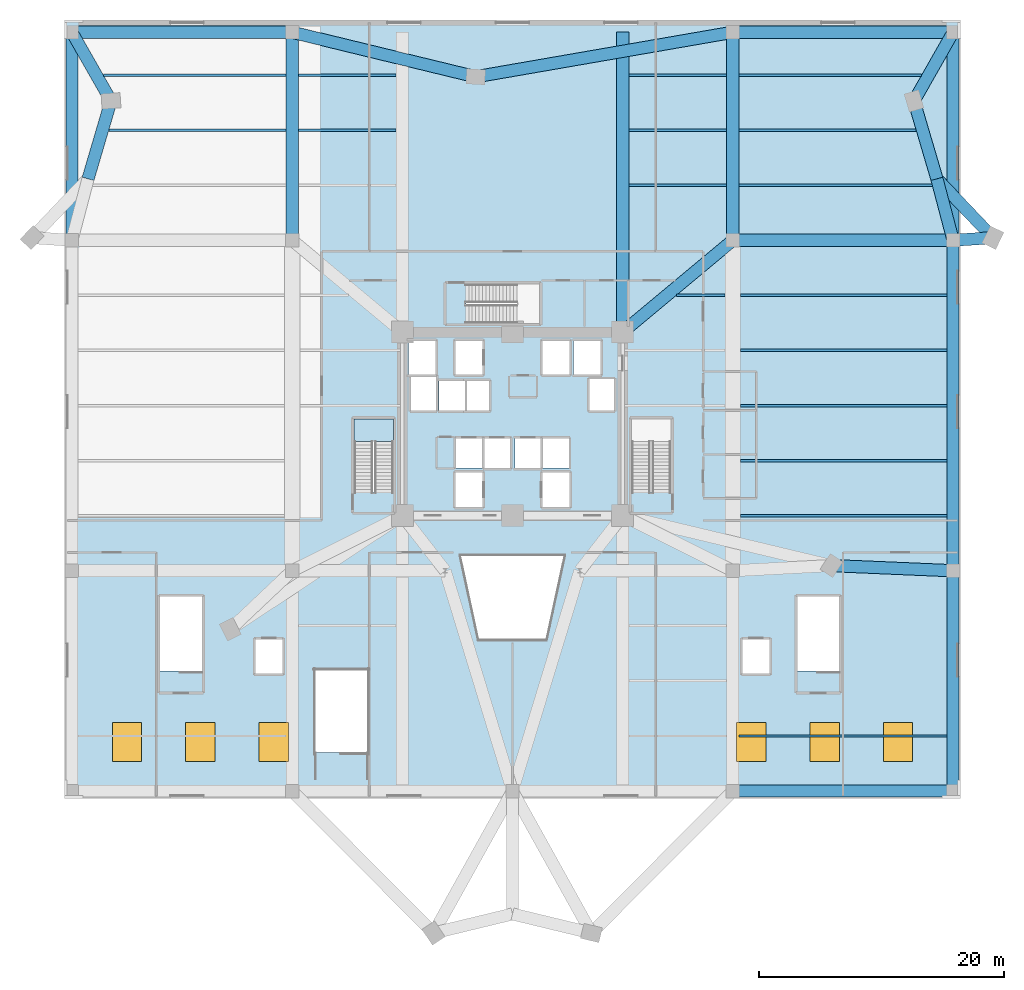
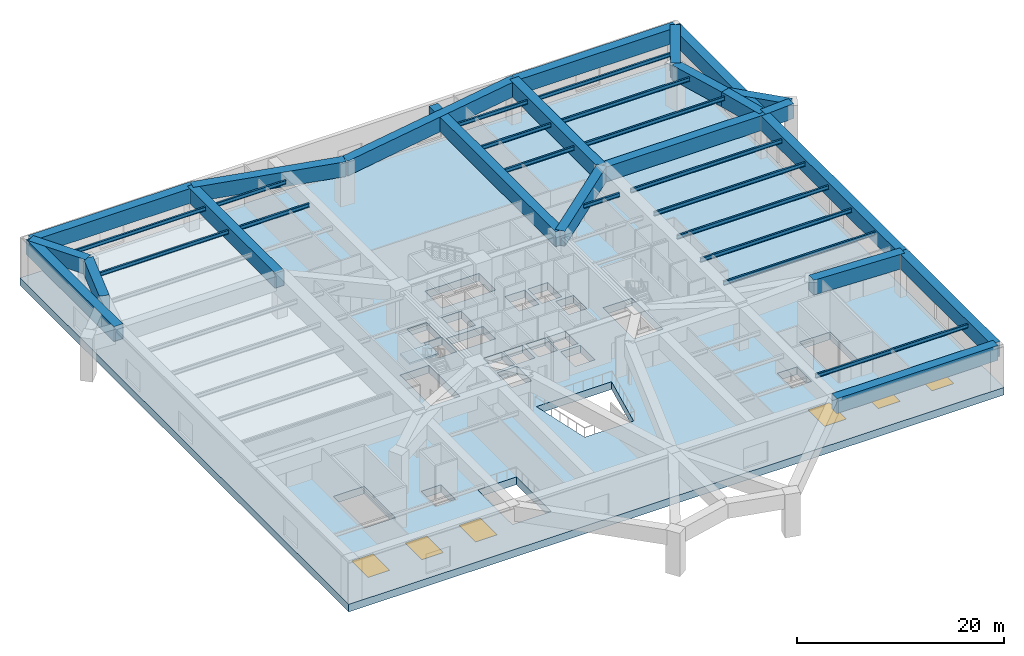
# One storey, part 4 of 14: 39 beams, 6 windows, 2 slabs, 6 openings, 1 element without a shape of its own.
"""IFC4 building model written with IfcOpenShell, lengths in metres."""

import ifcopenshell
import ifcopenshell.guid

model = None  # the IFC model being written
_history = None  # IfcOwnerHistory: only IFC2X3 demands one
_inside = {}  # id of a spatial element -> (the spatial element, [elements in it])
_under = {}  # id of a project, library or spatial element -> (it, [spatial elements below it])
_declared = {}  # id of a project -> (the project, [libraries it declares])
_typed = {}  # id of a type object -> (the type object, [elements of that type])
_made_of = {}  # id of a material, layer set ... -> (it, [elements and type objects made of it])


def new_model(schema):
    """Start an empty IFC model of exactly this schema.

    Asked for "IFC4X3", IfcOpenShell would pick the latest addendum, in which some entities
    have other attributes; the version numbers below select the first issue.
    IFC2X3 requires an IfcOwnerHistory on every rooted entity: one is made here for all.
    """
    global model, _history
    if schema == "IFC4X3":
        model = ifcopenshell.file(schema_version=(4, 3, 0, 0))
    else:
        model = ifcopenshell.file(schema=schema)
    _inside.clear()
    _under.clear()
    _declared.clear()
    _typed.clear()
    _made_of.clear()
    _history = None
    if model.schema == "IFC2X3":
        org = make("IfcOrganization", Name="unknown")
        user = make(
            "IfcPersonAndOrganization",
            ThePerson=make("IfcPerson", FamilyName="unknown"),
            TheOrganization=org,
        )
        app = make(
            "IfcApplication",
            ApplicationDeveloper=org,
            Version="unknown",
            ApplicationFullName="unknown",
            ApplicationIdentifier="unknown",
        )
        _history = make(
            "IfcOwnerHistory",
            OwningUser=user,
            OwningApplication=app,
            ChangeAction="ADDED",
            CreationDate=0,
        )
    return model


def make(cls, **values):
    """One entity of the class cls with the attributes given. An attribute that is None is left unset."""
    return model.create_entity(
        cls, **{name: value for name, value in values.items() if value is not None}
    )


def rooted(cls, **values):
    """An entity with a GlobalId (a new one), such as an element, a storey or a relation."""
    return make(cls, GlobalId=ifcopenshell.guid.new(), OwnerHistory=_history, **values)


def si_unit(unit_type, name, prefix=None):
    """IfcSIUnit, for example si_unit("LENGTHUNIT", "METRE", prefix="MILLI")."""
    return make("IfcSIUnit", UnitType=unit_type, Prefix=prefix, Name=name)


def assignment(units):
    """IfcUnitAssignment: the units of a project."""
    return None if units is None else make("IfcUnitAssignment", Units=units)


def point(xyz):
    """IfcCartesianPoint."""
    return None if xyz is None else make("IfcCartesianPoint", Coordinates=xyz)


def direction(xyz):
    """IfcDirection."""
    return None if xyz is None else make("IfcDirection", DirectionRatios=xyz)


def frame(location, z_axis=None, x_axis=None):
    """IfcAxis2Placement3D, a coordinate frame: its origin and axes. An axis left out is left unset."""
    return make(
        "IfcAxis2Placement3D",
        Location=point(location),
        Axis=direction(z_axis),
        RefDirection=direction(x_axis),
    )


def frame_2d(location, x_axis=None):
    """IfcAxis2Placement2D, a coordinate frame in the plane: its origin and x axis."""
    return make(
        "IfcAxis2Placement2D", Location=point(location), RefDirection=direction(x_axis)
    )


def origin():
    """The frame at (0, 0, 0) with its axes left unset."""
    return frame((0.0, 0.0, 0.0))


def origin_2d():
    """The frame at (0, 0) in the plane with its x axis left unset."""
    return frame_2d((0.0, 0.0))


def place(relative_to, where):
    """IfcLocalPlacement: puts the frame where relative to a parent placement (None: the world)."""
    return make(
        "IfcLocalPlacement", PlacementRelTo=relative_to, RelativePlacement=where
    )


def context(
    kind, dimensions, precision=None, world=None, true_north=None, identifier=None
):
    """IfcGeometricRepresentationContext, for example the 3D "Model" context."""
    return make(
        "IfcGeometricRepresentationContext",
        ContextIdentifier=identifier,
        ContextType=kind,
        CoordinateSpaceDimension=dimensions,
        Precision=precision,
        WorldCoordinateSystem=world,
        TrueNorth=true_north,
    )


def subcontext(parent, identifier, kind, view, scale=None):
    """IfcGeometricRepresentationSubContext, for example "Body" below "Model"."""
    return make(
        "IfcGeometricRepresentationSubContext",
        ContextIdentifier=identifier,
        ContextType=kind,
        ParentContext=parent,
        TargetScale=scale,
        TargetView=view,
    )


def project(units=None, contexts=None):
    """IfcProject with its units and contexts."""
    return rooted(
        "IfcProject",
        Name="project",
        RepresentationContexts=contexts,
        UnitsInContext=assignment(units),
    )


def spatial(cls, under=None, at=None, **own):
    """A site, building, storey or space (cls), placed at a placement, below another one or the project."""
    s = rooted(cls, ObjectPlacement=at, **own)
    if under is not None:
        _under.setdefault(under.id(), (under, []))[1].append(s)
    return s


def polyline(points):
    """IfcPolyline through the points."""
    return make("IfcPolyline", Points=[point(p) for p in points])


def profile(cls, at=None, kind="AREA", **sizes):
    """A parametric profile (cls). Its sizes go by their IFC names, for example OverallWidth=200.0."""
    return make(cls, ProfileType=kind, Position=at, **sizes)


def rectangle(**sizes):
    """IfcRectangleProfileDef."""
    return profile("IfcRectangleProfileDef", **sizes)


def i_section(**sizes):
    """IfcIShapeProfileDef."""
    return profile("IfcIShapeProfileDef", **sizes)


def outline(outer, holes=None, kind="AREA"):
    """IfcArbitraryClosedProfileDef: a profile drawn as a closed curve; with holes, ...WithVoids."""
    if holes is None:
        return make("IfcArbitraryClosedProfileDef", ProfileType=kind, OuterCurve=outer)
    return make(
        "IfcArbitraryProfileDefWithVoids",
        ProfileType=kind,
        OuterCurve=outer,
        InnerCurves=holes,
    )


def extrude(swept, where, along, depth):
    """IfcExtrudedAreaSolid: the profile swept, set in the frame where, extruded along a direction by depth."""
    return make(
        "IfcExtrudedAreaSolid",
        SweptArea=swept,
        Position=where,
        ExtrudedDirection=direction(along),
        Depth=depth,
    )


def shape(context_of_items, identifier, shape_type, items):
    """IfcShapeRepresentation: the items that make up one representation, for example the "Body"."""
    return make(
        "IfcShapeRepresentation",
        ContextOfItems=context_of_items,
        RepresentationIdentifier=identifier,
        RepresentationType=shape_type,
        Items=items,
    )


def source(mapping_origin, context_of_items, identifier, shape_type, items):
    """IfcRepresentationMap: a shape defined once, which mapped items show again and again."""
    return make(
        "IfcRepresentationMap",
        MappingOrigin=mapping_origin,
        MappedRepresentation=shape(context_of_items, identifier, shape_type, items),
    )


def transform(
    local_origin,
    x_axis=None,
    y_axis=None,
    z_axis=None,
    scale=None,
    scale2=None,
    scale3=None,
    uniform=True,
):
    """IfcCartesianTransformationOperator3D, or its non-uniform kind. x_axis, y_axis, z_axis: its Axis1, 2, 3."""
    if uniform:
        return make(
            "IfcCartesianTransformationOperator3D",
            Axis1=direction(x_axis),
            Axis2=direction(y_axis),
            LocalOrigin=point(local_origin),
            Scale=scale,
            Axis3=direction(z_axis),
        )
    return make(
        "IfcCartesianTransformationOperator3DnonUniform",
        Axis1=direction(x_axis),
        Axis2=direction(y_axis),
        LocalOrigin=point(local_origin),
        Scale=scale,
        Axis3=direction(z_axis),
        Scale2=scale2,
        Scale3=scale3,
    )


def mapped(mapping_source, mapping_target):
    """IfcMappedItem: shows the shape of a source again, moved by a transform."""
    return make(
        "IfcMappedItem", MappingSource=mapping_source, MappingTarget=mapping_target
    )


def material(Name=None, Category=None):
    """IfcMaterial."""
    return make("IfcMaterial", Name=Name, Category=Category)


def layer(
    of_material, thickness, ventilated=None, Name=None, Category=None, Priority=None
):
    """IfcMaterialLayer: one layer of a wall or slab, of a material (None: an air gap)."""
    return make(
        "IfcMaterialLayer",
        Material=of_material,
        LayerThickness=thickness,
        IsVentilated=ventilated,
        Name=Name,
        Category=Category,
        Priority=Priority,
    )


def layer_set(layers, Name=None):
    """IfcMaterialLayerSet."""
    return make("IfcMaterialLayerSet", MaterialLayers=layers, LayerSetName=Name)


def material_profile(
    of_material, cross_section, Name=None, Category=None, Priority=None
):
    """IfcMaterialProfile: a cross section and its material."""
    return make(
        "IfcMaterialProfile",
        Name=Name,
        Material=of_material,
        Profile=cross_section,
        Priority=Priority,
        Category=Category,
    )


def profile_set(profiles, Name=None, composite=None):
    """IfcMaterialProfileSet."""
    return make(
        "IfcMaterialProfileSet",
        Name=Name,
        MaterialProfiles=profiles,
        CompositeProfile=composite,
    )


def made_of(thing, what):
    """Note that an element or type object is made of a material, layer set ...; save() writes the relation."""
    if what is not None:
        _made_of.setdefault(what.id(), (what, []))[1].append(thing)
    return thing


def type_object(cls, material=None, **own):
    """A type object (cls), such as IfcWallType, which elements share."""
    return made_of(rooted(cls, **own), material)


def element(
    cls,
    number,
    at=None,
    inside=None,
    cuts=None,
    type_object=None,
    material=None,
    context=None,
    identifier="Body",
    shape_type=None,
    held_by="IfcProductDefinitionShape",
    body=None,
    shapes=None,
    **own,
):
    """One element of the class cls, such as IfcWall. Its Tag is "e" and its number.

    at: its placement. inside: the storey or other place that contains it. cuts: it is an
    opening in that element (IfcRelVoidsElement). A single representation is given by context,
    identifier, shape_type and body (its items); several are given by shapes. held_by: the class
    of the entity that holds the representations. save() writes the other relations.
    """
    e = rooted(cls, Tag="e%d" % number, ObjectPlacement=at, **own)
    if body is not None:
        shapes = [shape(context, identifier, shape_type, body)]
    if shapes is not None:
        e.Representation = make(held_by, Representations=shapes)
    if inside is not None:
        _inside.setdefault(inside.id(), (inside, []))[1].append(e)
    if cuts is not None:
        rooted(
            "IfcRelVoidsElement", RelatingBuildingElement=cuts, RelatedOpeningElement=e
        )
    if type_object is not None:
        _typed.setdefault(type_object.id(), (type_object, []))[1].append(e)
    return made_of(e, material)


def fill(opening, filler):
    """IfcRelFillsElement: the door or window that sits in an opening."""
    return rooted(
        "IfcRelFillsElement",
        RelatingOpeningElement=opening,
        RelatedBuildingElement=filler,
    )


def aggregate(whole, parts):
    """IfcRelAggregates: a whole, such as a stair, and the parts it consists of."""
    return rooted("IfcRelAggregates", RelatingObject=whole, RelatedObjects=parts)


def save(model, path):
    """Write the relations noted so far, then the file.

    IfcRelAggregates (storeys below a building ...), IfcRelContainedInSpatialStructure (elements
    in a storey), IfcRelDefinesByType, IfcRelAssociatesMaterial and IfcRelDeclares: one each for
    every whole, place, type object, material and project.
    """
    for whole, parts in _under.values():
        aggregate(whole, parts)
    for where, things in _inside.values():
        rooted(
            "IfcRelContainedInSpatialStructure",
            RelatedElements=things,
            RelatingStructure=where,
        )
    for kind, things in _typed.values():
        rooted("IfcRelDefinesByType", RelatedObjects=things, RelatingType=kind)
    for what, things in _made_of.values():
        rooted("IfcRelAssociatesMaterial", RelatedObjects=things, RelatingMaterial=what)
    for by, libraries in _declared.values():
        rooted("IfcRelDeclares", RelatingContext=by, RelatedDefinitions=libraries)
    model.write(path)


model = new_model("IFC4")

# Units and contexts
model_context = context("Model", 3, precision=1e-05, world=origin(), true_north=direction((0.0, 1.0)))
body_context = subcontext(model_context, "Body", "Model", "MODEL_VIEW")
ifc_project = project(units=[si_unit("LENGTHUNIT", "METRE"), si_unit("AREAUNIT", "SQUARE_METRE"), si_unit("VOLUMEUNIT", "CUBIC_METRE"), si_unit("PLANEANGLEUNIT", "RADIAN"), si_unit("MASSUNIT", "GRAM", prefix="KILO")], contexts=[model_context])

# Site, building, storey
site_placement = place(None, origin())
site = spatial("IfcSite", under=ifc_project, at=site_placement, CompositionType="ELEMENT")
building_placement = place(site_placement, origin())
building = spatial("IfcBuilding", under=site, at=building_placement, Name="Liaohun Quay Tower", CompositionType="ELEMENT")
storey_placement = place(building_placement, frame((0.0, 0.0, 23.39990234375)))
storey = spatial("IfcBuildingStorey", under=building, at=storey_placement, Name="L06", CompositionType="ELEMENT", Elevation=23.39990234375)

# Beams
ifc_material_1 = material(Name="Concrete C60", Category="concrete")
ifc_material_profile_1 = material_profile(ifc_material_1, rectangle(XDim=1.0, YDim=1.75, at=origin_2d()), Name="RC1000x1750")
ifc_profile_set_1 = profile_set([ifc_material_profile_1], Name="Concrete C60")
beam_type_1 = type_object("IfcBeamType", Name="BM-TRF-2", PredefinedType="BEAM", material=ifc_profile_set_1)
shared_shape_1 = source(origin(), body_context, "Body", "SweptSolid", [
    extrude(rectangle(XDim=1.0, YDim=1.75, at=origin_2d()), origin(), (0.0, 0.0, 1.0), 18.0),
])
for number, where, z_axis, x_axis, name in (
    (1, (78.0, 24.0, 4.22509765625), (1.0, 0.0, 0.0), (0.0, 1.0, 0.0), "L06 Primary Grid Girder PG04-PG05"),
    (2, (78.0, 69.0, 4.22509765625), (1.0, 0.0, 0.0), (0.0, 1.0, 0.0), "L06 Primary Grid Girder PG12-PG13"),
    (3, (24.0, 86.0, 4.22509765625), (1.0, 0.0, 0.0), (0.0, 1.0, 0.0), "L06 Primary Grid Girder PG14-PG15"),
    (4, (78.0, 86.0, 4.22509765625), (1.0, 0.0, 0.0), (0.0, 1.0, 0.0), "L06 Primary Grid Girder PG17-PG18"),
    (5, (96.0, 24.0, 4.22509765625), (0.0, 1.0, 0.0), (-1.0, 0.0, 0.0), "L06 Primary Grid Girder PG05-PG09"),
):
    element("IfcBeam", number, at=place(storey_placement, frame(where, z_axis=z_axis, x_axis=x_axis)), inside=storey, type_object=beam_type_1, Name=name, PredefinedType="BEAM", context=body_context, shape_type="MappedRepresentation", body=[
        mapped(shared_shape_1, transform((0.0, 0.0, 0.0), x_axis=(1.0, 0.0, 0.0), y_axis=(0.0, 1.0, 0.0), z_axis=(0.0, 0.0, 1.0), scale=1.0)),
    ])
shared_shape_2 = source(origin(), body_context, "Body", "SweptSolid", [
    extrude(rectangle(XDim=1.0, YDim=1.75, at=origin_2d()), origin(), (0.0, 0.0, 1.0), 9.945068359375),
])
beam_1_placement = place(storey_placement, frame((86.06396484375, 42.423095703125, 4.22509765625), z_axis=(0.999094620033, -0.042543392219, 0.0), x_axis=(0.042543392219, 0.999094620033, 0.0)))
element("IfcBeam", 6, at=beam_1_placement, inside=storey, type_object=beam_type_1, Name="L06 Primary Grid Girder PC10-PG09", PredefinedType="BEAM", context=body_context, shape_type="MappedRepresentation", body=[
    mapped(shared_shape_2, transform((0.0, 0.0, 0.0), x_axis=(1.0, 0.0, 0.0), y_axis=(0.0, 1.0, 0.0), z_axis=(0.0, 0.0, 1.0), scale=1.0)),
])
shared_shape_3 = source(origin(), body_context, "Body", "SweptSolid", [
    extrude(rectangle(XDim=1.0, YDim=1.75, at=origin_2d()), origin(), (0.0, 0.0, 1.0), 11.71533203125),
])
beam_2_placement = place(storey_placement, frame((69.0, 61.5, 4.22509765625), z_axis=(0.768221279597, 0.640184399664, 0.0), x_axis=(-0.640184399664, 0.768221279597, 0.0)))
element("IfcBeam", 7, at=beam_2_placement, inside=storey, type_object=beam_type_1, Name="L06 Primary Grid Girder CC4-PG12", PredefinedType="BEAM", context=body_context, shape_type="MappedRepresentation", body=[
    mapped(shared_shape_3, transform((0.0, 0.0, 0.0), x_axis=(1.0, 0.0, 0.0), y_axis=(0.0, 1.0, 0.0), z_axis=(0.0, 0.0, 1.0), scale=1.0)),
])
shared_shape_4 = source(origin(), body_context, "Body", "SweptSolid", [
    extrude(rectangle(XDim=1.0, YDim=1.75, at=origin_2d()), origin(), (0.0, 0.0, 1.0), 15.4306640625),
])
beam_3_placement = place(storey_placement, frame((42.0, 86.0, 4.22509765625), z_axis=(0.971780133719, -0.235888473032, 0.0), x_axis=(0.235888473032, 0.971780133719, 0.0)))
element("IfcBeam", 8, at=beam_3_placement, inside=storey, type_object=beam_type_1, Name="L06 Primary Grid Girder PG15-PC06", PredefinedType="BEAM", context=body_context, shape_type="MappedRepresentation", body=[
    mapped(shared_shape_4, transform((0.0, 0.0, 0.0), x_axis=(1.0, 0.0, 0.0), y_axis=(0.0, 1.0, 0.0), z_axis=(0.0, 0.0, 1.0), scale=1.0)),
])
shared_shape_5 = source(origin(), body_context, "Body", "SweptSolid", [
    extrude(rectangle(XDim=1.0, YDim=1.75, at=origin_2d()), origin(), (0.0, 0.0, 1.0), 21.31787109375),
])
beam_4_placement = place(storey_placement, frame((56.9951171875, 82.360107421875, 4.22509765625), z_axis=(0.985315548274, 0.170743287801, 0.0), x_axis=(-0.170743287801, 0.985315548274, 0.0)))
element("IfcBeam", 9, at=beam_4_placement, inside=storey, type_object=beam_type_1, Name="L06 Primary Grid Girder PC06-PG17", PredefinedType="BEAM", context=body_context, shape_type="MappedRepresentation", body=[
    mapped(shared_shape_5, transform((0.0, 0.0, 0.0), x_axis=(1.0, 0.0, 0.0), y_axis=(0.0, 1.0, 0.0), z_axis=(0.0, 0.0, 1.0), scale=1.0)),
])
shared_shape_6 = source(origin(), body_context, "Body", "SweptSolid", [
    extrude(rectangle(XDim=1.0, YDim=1.75, at=origin_2d()), origin(), (0.0, 0.0, 1.0), 27.0),
])
beam_5_placement = place(storey_placement, frame((96.0, 42.0, 4.22509765625), z_axis=(0.0, 1.0, 0.0), x_axis=(-1.0, 0.0, 0.0)))
element("IfcBeam", 10, at=beam_5_placement, inside=storey, type_object=beam_type_1, Name="L06 Primary Grid Girder PG09-PG13", PredefinedType="BEAM", context=body_context, shape_type="MappedRepresentation", body=[
    mapped(shared_shape_6, transform((0.0, 0.0, 0.0), x_axis=(1.0, 0.0, 0.0), y_axis=(0.0, 1.0, 0.0), z_axis=(0.0, 0.0, 1.0), scale=1.0)),
])
shared_shape_7 = source(origin(), body_context, "Body", "SweptSolid", [
    extrude(rectangle(XDim=1.0, YDim=1.75, at=origin_2d()), origin(), (0.0, 0.0, 1.0), 17.0),
])
for number, where, z_axis, x_axis, name in (
    (11, (24.0, 69.0, 4.22509765625), (0.0, 1.0, 0.0), (-1.0, 0.0, 0.0), "L06 Primary Grid Girder PG10-PG14"),
    (12, (42.0, 69.0, 4.22509765625), (0.0, 1.0, 0.0), (-1.0, 0.0, 0.0), "L06 Primary Grid Girder PG11-PG15"),
    (13, (78.0, 69.0, 4.22509765625), (0.0, 1.0, 0.0), (-1.0, 0.0, 0.0), "L06 Primary Grid Girder PG12-PG17"),
    (14, (96.0, 69.0, 4.22509765625), (0.0, 1.0, 0.0), (-1.0, 0.0, 0.0), "L06 Primary Grid Girder PG13-PG18"),
):
    element("IfcBeam", number, at=place(storey_placement, frame(where, z_axis=z_axis, x_axis=x_axis)), inside=storey, type_object=beam_type_1, Name=name, PredefinedType="BEAM", context=body_context, shape_type="MappedRepresentation", body=[
        mapped(shared_shape_7, transform((0.0, 0.0, 0.0), x_axis=(1.0, 0.0, 0.0), y_axis=(0.0, 1.0, 0.0), z_axis=(0.0, 0.0, 1.0), scale=1.0)),
    ])
shared_shape_8 = source(origin(), body_context, "Body", "SweptSolid", [
    extrude(rectangle(XDim=1.0, YDim=1.75, at=origin_2d()), origin(), (0.0, 0.0, 1.0), 6.45703125),
])
beam_6_placement = place(storey_placement, frame((27.198974609375, 80.39111328125, 4.22509765625), z_axis=(-0.49542619565, 0.868650035782, 0.0), x_axis=(-0.868650035782, -0.49542619565, 0.0)))
element("IfcBeam", 15, at=beam_6_placement, inside=storey, type_object=beam_type_1, Name="L06 Primary Grid Girder PC05-PG14", PredefinedType="BEAM", context=body_context, shape_type="MappedRepresentation", body=[
    mapped(shared_shape_8, transform((0.0, 0.0, 0.0), x_axis=(1.0, 0.0, 0.0), y_axis=(0.0, 1.0, 0.0), z_axis=(0.0, 0.0, 1.0), scale=1.0)),
])
shared_shape_9 = source(origin(), body_context, "Body", "SweptSolid", [
    extrude(rectangle(XDim=1.0, YDim=1.75, at=origin_2d()), origin(), (0.0, 0.0, 1.0), 6.64013671875),
])
beam_7_placement = place(storey_placement, frame((25.321044921875, 74.02197265625, 4.22509765625), z_axis=(0.282811203654, 0.959175595544, 0.0), x_axis=(-0.959175595544, 0.282811203654, 0.0)))
element("IfcBeam", 16, at=beam_7_placement, inside=storey, type_object=beam_type_1, Name="L06 NW Notch Transfer Girder TB-2D", PredefinedType="BEAM", context=body_context, shape_type="MappedRepresentation", body=[
    mapped(shared_shape_9, transform((0.0, 0.0, 0.0), x_axis=(1.0, 0.0, 0.0), y_axis=(0.0, 1.0, 0.0), z_axis=(0.0, 0.0, 1.0), scale=1.0)),
])
shared_shape_10 = source(origin(), body_context, "Body", "SweptSolid", [
    extrude(rectangle(XDim=1.0, YDim=1.75, at=origin_2d()), origin(), (0.0, 0.0, 1.0), 5.19287109375),
])
beam_8_placement = place(storey_placement, frame((96.0, 69.0, 4.22509765625), z_axis=(-0.254398415358, 0.967099501739, 0.0), x_axis=(-0.967099501739, -0.254398415358, 0.0)))
element("IfcBeam", 17, at=beam_8_placement, inside=storey, type_object=beam_type_1, Name="L06 NE Notch Radial Transfer Girder TB-2ER", PredefinedType="BEAM", context=body_context, shape_type="MappedRepresentation", body=[
    mapped(shared_shape_10, transform((0.0, 0.0, 0.0), x_axis=(1.0, 0.0, 0.0), y_axis=(0.0, 1.0, 0.0), z_axis=(0.0, 0.0, 1.0), scale=1.0)),
])
shared_shape_11 = source(origin(), body_context, "Body", "SweptSolid", [
    extrude(rectangle(XDim=1.0, YDim=1.75, at=origin_2d()), origin(), (0.0, 0.0, 1.0), 6.462158203125),
])
beam_9_placement = place(storey_placement, frame((92.802978515625, 80.384033203125, 4.22509765625), z_axis=(0.494726480393, 0.869048738333, 0.0), x_axis=(-0.869048738333, 0.494726480393, 0.0)))
element("IfcBeam", 18, at=beam_9_placement, inside=storey, type_object=beam_type_1, Name="L06 Primary Grid Girder PC07-PG18", PredefinedType="BEAM", context=body_context, shape_type="MappedRepresentation", body=[
    mapped(shared_shape_11, transform((0.0, 0.0, 0.0), x_axis=(1.0, 0.0, 0.0), y_axis=(0.0, 1.0, 0.0), z_axis=(0.0, 0.0, 1.0), scale=1.0)),
])
shared_shape_12 = source(origin(), body_context, "Body", "SweptSolid", [
    extrude(rectangle(XDim=1.0, YDim=1.75, at=origin_2d()), origin(), (0.0, 0.0, 1.0), 3.262939453125),
])
beam_10_placement = place(storey_placement, frame((99.256103515625, 69.2119140625, 4.22509765625), z_axis=(-0.997888864182, -0.064944705264, 0.0), x_axis=(0.064944705264, -0.997888864182, 0.0)))
element("IfcBeam", 19, at=beam_10_placement, inside=storey, type_object=beam_type_1, Name="L06 Primary Grid Girder PC09-PG13", PredefinedType="BEAM", context=body_context, shape_type="MappedRepresentation", body=[
    mapped(shared_shape_12, transform((0.0, 0.0, 0.0), x_axis=(1.0, 0.0, 0.0), y_axis=(0.0, 1.0, 0.0), z_axis=(0.0, 0.0, 1.0), scale=1.0)),
])
shared_shape_13 = source(origin(), body_context, "Body", "SweptSolid", [
    extrude(rectangle(XDim=1.0, YDim=1.75, at=origin_2d()), origin(), (0.0, 0.0, 1.0), 6.6328125),
])
beam_11_placement = place(storey_placement, frame((92.802978515625, 80.384033203125, 4.22509765625), z_axis=(0.282829848873, -0.959170097838, 0.0), x_axis=(0.959170097838, 0.282829848873, 0.0)))
element("IfcBeam", 20, at=beam_11_placement, inside=storey, type_object=beam_type_1, Name="L06 NE Notch Transfer Girder TB-2E", PredefinedType="BEAM", context=body_context, shape_type="MappedRepresentation", body=[
    mapped(shared_shape_13, transform((0.0, 0.0, 0.0), x_axis=(1.0, 0.0, 0.0), y_axis=(0.0, 1.0, 0.0), z_axis=(0.0, 0.0, 1.0), scale=1.0)),
])
shared_shape_14 = source(origin(), body_context, "Body", "SweptSolid", [
    extrude(rectangle(XDim=1.0, YDim=1.75, at=origin_2d()), origin(), (0.0, 0.0, 1.0), 6.639892578125),
])
beam_12_placement = place(storey_placement, frame((94.678955078125, 74.02197265625, 4.22509765625), z_axis=(0.689350289248, -0.724428173606, 0.0), x_axis=(0.724428173606, 0.689350289248, 0.0)))
element("IfcBeam", 21, at=beam_12_placement, inside=storey, type_object=beam_type_1, Name="L06 NE Notch Transfer Girder TB-2F", PredefinedType="BEAM", context=body_context, shape_type="MappedRepresentation", body=[
    mapped(shared_shape_14, transform((0.0, 0.0, 0.0), x_axis=(1.0, 0.0, 0.0), y_axis=(0.0, 1.0, 0.0), z_axis=(0.0, 0.0, 1.0), scale=1.0)),
])
shared_shape_15 = source(origin(), body_context, "Body", "SweptSolid", [
    extrude(rectangle(XDim=1.0, YDim=1.75, at=origin_2d()), origin(), (0.0, 0.0, 1.0), 24.5),
])
beam_13_placement = place(storey_placement, frame((69.0, 61.5, 4.22509765625), z_axis=(0.0, 1.0, 0.0), x_axis=(-1.0, 0.0, 0.0)))
element("IfcBeam", 22, at=beam_13_placement, inside=storey, type_object=beam_type_1, Name="L06 Spine Girder X69-N", PredefinedType="BEAM", context=body_context, shape_type="MappedRepresentation", body=[
    mapped(shared_shape_15, transform((0.0, 0.0, 0.0), x_axis=(1.0, 0.0, 0.0), y_axis=(0.0, 1.0, 0.0), z_axis=(0.0, 0.0, 1.0), scale=1.0)),
])
ifc_material_2 = material(Name="Steel Q355D", Category="steel")
ifc_material_profile_2 = material_profile(ifc_material_2, i_section(OverallWidth=0.199951171875, OverallDepth=0.449951171875, WebThickness=0.009033203125, FlangeThickness=0.013916015625, at=origin_2d()), Name="HN450x200x9x14")
ifc_profile_set_2 = profile_set([ifc_material_profile_2], Name="Steel Q355D")
beam_type_2 = type_object("IfcBeamType", Name="BM-SEC-J1", PredefinedType="JOIST", material=ifc_profile_set_2)
shared_shape_16 = source(origin(), body_context, "Body", "SweptSolid", [
    extrude(i_section(OverallWidth=0.199951171875, OverallDepth=0.449951171875, WebThickness=0.009033203125, FlangeThickness=0.013916015625, at=origin_2d()), origin(), (0.0, 0.0, 1.0), 17.0),
])
beam_14_placement = place(storey_placement, frame((78.5, 28.5, 4.59521484375), z_axis=(1.0, 0.0, 0.0), x_axis=(0.0, 1.0, 0.0)))
element("IfcBeam", 23, at=beam_14_placement, inside=storey, type_object=beam_type_2, Name="L06 Composite Floor Joist SJ-34", PredefinedType="JOIST", context=body_context, shape_type="MappedRepresentation", body=[
    mapped(shared_shape_16, transform((0.0, 0.0, 0.0), x_axis=(1.0, 0.0, 0.0), y_axis=(0.0, 1.0, 0.0), z_axis=(0.0, 0.0, 1.0), scale=1.0)),
])
shared_shape_17 = source(origin(), body_context, "Body", "SweptSolid", [
    extrude(i_section(OverallWidth=0.199951171875, OverallDepth=0.449951171875, WebThickness=0.009033203125, FlangeThickness=0.013916015625, at=origin_2d()), origin(), (0.0, 0.0, 1.0), 16.875),
])
for number, where, z_axis, x_axis, name in (
    (24, (78.625, 46.5, 4.59521484375), (1.0, 0.0, 0.0), (0.0, 1.0, 0.0), "L06 Composite Floor Joist SJ-37"),
    (25, (78.625, 51.0, 4.59521484375), (1.0, 0.0, 0.0), (0.0, 1.0, 0.0), "L06 Composite Floor Joist SJ-38"),
    (26, (78.625, 55.5, 4.59521484375), (1.0, 0.0, 0.0), (0.0, 1.0, 0.0), "L06 Composite Floor Joist SJ-39"),
    (27, (78.625, 60.0, 4.59521484375), (1.0, 0.0, 0.0), (0.0, 1.0, 0.0), "L06 Composite Floor Joist SJ-40"),
    (28, (78.625, 64.5, 4.59521484375), (1.0, 0.0, 0.0), (0.0, 1.0, 0.0), "L06 Composite Floor Joist SJ-41"),
):
    element("IfcBeam", number, at=place(storey_placement, frame(where, z_axis=z_axis, x_axis=x_axis)), inside=storey, type_object=beam_type_2, Name=name, PredefinedType="JOIST", context=body_context, shape_type="MappedRepresentation", body=[
        mapped(shared_shape_17, transform((0.0, 0.0, 0.0), x_axis=(1.0, 0.0, 0.0), y_axis=(0.0, 1.0, 0.0), z_axis=(0.0, 0.0, 1.0), scale=1.0)),
    ])
shared_shape_18 = source(origin(), body_context, "Body", "SweptSolid", [
    extrude(i_section(OverallWidth=0.199951171875, OverallDepth=0.449951171875, WebThickness=0.009033203125, FlangeThickness=0.013916015625, at=origin_2d()), origin(), (0.0, 0.0, 1.0), 15.799072265625),
])
beam_15_placement = place(storey_placement, frame((78.5, 73.5, 4.59521484375), z_axis=(1.0, 0.0, 0.0), x_axis=(0.0, 1.0, 0.0)))
element("IfcBeam", 29, at=beam_15_placement, inside=storey, type_object=beam_type_2, Name="L06 Composite Floor Joist SJ-42", PredefinedType="JOIST", context=body_context, shape_type="MappedRepresentation", body=[
    mapped(shared_shape_18, transform((0.0, 0.0, 0.0), x_axis=(1.0, 0.0, 0.0), y_axis=(0.0, 1.0, 0.0), z_axis=(0.0, 0.0, 1.0), scale=1.0)),
])
shared_shape_19 = source(origin(), body_context, "Body", "SweptSolid", [
    extrude(i_section(OverallWidth=0.199951171875, OverallDepth=0.449951171875, WebThickness=0.009033203125, FlangeThickness=0.013916015625, at=origin_2d()), origin(), (0.0, 0.0, 1.0), 14.485107421875),
])
for number, where, z_axis, x_axis, name in (
    (30, (27.014892578125, 78.0, 4.59521484375), (1.0, 0.0, 0.0), (0.0, 1.0, 0.0), "L06 Composite Floor Joist SJ-10"),
    (31, (78.5, 78.0, 4.59521484375), (1.0, 0.0, 0.0), (0.0, 1.0, 0.0), "L06 Composite Floor Joist SJ-43"),
):
    element("IfcBeam", number, at=place(storey_placement, frame(where, z_axis=z_axis, x_axis=x_axis)), inside=storey, type_object=beam_type_2, Name=name, PredefinedType="JOIST", context=body_context, shape_type="MappedRepresentation", body=[
        mapped(shared_shape_19, transform((0.0, 0.0, 0.0), x_axis=(1.0, 0.0, 0.0), y_axis=(0.0, 1.0, 0.0), z_axis=(0.0, 0.0, 1.0), scale=1.0)),
    ])
shared_shape_20 = source(origin(), body_context, "Body", "SweptSolid", [
    extrude(i_section(OverallWidth=0.199951171875, OverallDepth=0.449951171875, WebThickness=0.009033203125, FlangeThickness=0.013916015625, at=origin_2d()), origin(), (0.0, 0.0, 1.0), 14.927978515625),
])
beam_16_placement = place(storey_placement, frame((26.572021484375, 82.5, 4.59521484375), z_axis=(1.0, 0.0, 0.0), x_axis=(0.0, 1.0, 0.0)))
element("IfcBeam", 32, at=beam_16_placement, inside=storey, type_object=beam_type_2, Name="L06 Composite Floor Joist SJ-11", PredefinedType="JOIST", context=body_context, shape_type="MappedRepresentation", body=[
    mapped(shared_shape_20, transform((0.0, 0.0, 0.0), x_axis=(1.0, 0.0, 0.0), y_axis=(0.0, 1.0, 0.0), z_axis=(0.0, 0.0, 1.0), scale=1.0)),
])
shared_shape_21 = source(origin(), body_context, "Body", "SweptSolid", [
    extrude(i_section(OverallWidth=0.199951171875, OverallDepth=0.449951171875, WebThickness=0.009033203125, FlangeThickness=0.013916015625, at=origin_2d()), origin(), (0.0, 0.0, 1.0), 8.0),
])
for number, where, z_axis, x_axis, name in (
    (33, (42.5, 78.0, 4.59521484375), (1.0, 0.0, 0.0), (0.0, 1.0, 0.0), "L06 Composite Floor Joist SJ-21"),
    (34, (42.5, 82.5, 4.59521484375), (1.0, 0.0, 0.0), (0.0, 1.0, 0.0), "L06 Composite Floor Joist SJ-22"),
    (35, (69.5, 73.5, 4.59521484375), (1.0, 0.0, 0.0), (0.0, 1.0, 0.0), "L06 Composite Floor Joist SJ-31"),
    (36, (69.5, 78.0, 4.59521484375), (1.0, 0.0, 0.0), (0.0, 1.0, 0.0), "L06 Composite Floor Joist SJ-32"),
    (37, (69.5, 82.5, 4.59521484375), (1.0, 0.0, 0.0), (0.0, 1.0, 0.0), "L06 Composite Floor Joist SJ-33"),
):
    element("IfcBeam", number, at=place(storey_placement, frame(where, z_axis=z_axis, x_axis=x_axis)), inside=storey, type_object=beam_type_2, Name=name, PredefinedType="JOIST", context=body_context, shape_type="MappedRepresentation", body=[
        mapped(shared_shape_21, transform((0.0, 0.0, 0.0), x_axis=(1.0, 0.0, 0.0), y_axis=(0.0, 1.0, 0.0), z_axis=(0.0, 0.0, 1.0), scale=1.0)),
    ])
shared_shape_22 = source(origin(), body_context, "Body", "SweptSolid", [
    extrude(i_section(OverallWidth=0.199951171875, OverallDepth=0.449951171875, WebThickness=0.009033203125, FlangeThickness=0.013916015625, at=origin_2d()), origin(), (0.0, 0.0, 1.0), 3.993896484375),
])
beam_17_placement = place(storey_placement, frame((73.381103515625, 64.5, 4.59521484375), z_axis=(1.0, 0.0, 0.0), x_axis=(0.0, 1.0, 0.0)))
element("IfcBeam", 38, at=beam_17_placement, inside=storey, type_object=beam_type_2, Name="L06 Composite Floor Joist SJ-30", PredefinedType="JOIST", context=body_context, shape_type="MappedRepresentation", body=[
    mapped(shared_shape_22, transform((0.0, 0.0, 0.0), x_axis=(1.0, 0.0, 0.0), y_axis=(0.0, 1.0, 0.0), z_axis=(0.0, 0.0, 1.0), scale=1.0)),
])
shared_shape_23 = source(origin(), body_context, "Body", "SweptSolid", [
    extrude(i_section(OverallWidth=0.199951171875, OverallDepth=0.449951171875, WebThickness=0.009033203125, FlangeThickness=0.013916015625, at=origin_2d()), origin(), (0.0, 0.0, 1.0), 14.931884765625),
])
beam_18_placement = place(storey_placement, frame((78.5, 82.5, 4.59521484375), z_axis=(1.0, 0.0, 0.0), x_axis=(0.0, 1.0, 0.0)))
element("IfcBeam", 39, at=beam_18_placement, inside=storey, type_object=beam_type_2, Name="L06 Composite Floor Joist SJ-44", PredefinedType="JOIST", context=body_context, shape_type="MappedRepresentation", body=[
    mapped(shared_shape_23, transform((0.0, 0.0, 0.0), x_axis=(1.0, 0.0, 0.0), y_axis=(0.0, 1.0, 0.0), z_axis=(0.0, 0.0, 1.0), scale=1.0)),
])

# Stair, slab
ifc_material_3 = material(Name="Concrete C45", Category="concrete")
stair_type = type_object("IfcStairType", Name="STR-CORE-CRN", PredefinedType="HALF_TURN_STAIR", material=ifc_material_3)
stair_placement = place(storey_placement, origin())
stair = element("IfcStair", 40, at=stair_placement, inside=storey, type_object=stair_type, Name="L06 Smokeproof Core Exit Stair ST-1", PredefinedType="HALF_TURN_STAIR")
ifc_layer_1 = layer(ifc_material_3, 0.199951171875, Name="Concrete C45", Category="concrete")
ifc_layer_set_1 = layer_set([ifc_layer_1], Name="Concrete C45")
slab_type_1 = type_object("IfcSlabType", Name="SLB-LND-200", PredefinedType="LANDING", material=ifc_layer_set_1)
slab_1_placement = place(storey_placement, frame((0.0, 0.0, 2.35009765625)))
slab_1 = element("IfcSlab", 41, at=slab_1_placement, type_object=slab_type_1, Name="ST-1 landing 1", PredefinedType="LANDING", context=body_context, shape_type="SweptSolid", body=[
    extrude(outline(polyline([(50.280029296875, 52.550048828125), (50.280029296875, 54.419921875), (47.0400390625, 54.419921875), (47.0400390625, 52.550048828125), (50.280029296875, 52.550048828125)])), origin(), (0.0, 0.0, 1.0), 0.199951171875),
])
aggregate(stair, [slab_1])

# Slab, openings, windows
ifc_layer_2 = layer(ifc_material_1, 0.89990234375, Name="Concrete C60", Category="concrete")
ifc_layer_set_2 = layer_set([ifc_layer_2], Name="Concrete C60")
slab_type_2 = type_object("IfcSlabType", Name="SLB-TRF-900", PredefinedType="FLOOR", material=ifc_layer_set_2)
slab_2_placement = place(storey_placement, frame((0.0, 0.0, -0.89990234375)))
slab_2 = element("IfcSlab", 42, at=slab_2_placement, inside=storey, type_object=slab_type_2, Name="L06 Structural Floor Slab", PredefinedType="FLOOR", context=body_context, shape_type="SweptSolid", body=[
    extrude(outline(polyline([(23.39990234375, 23.39990234375), (96.60009765625, 23.39990234375), (96.60009765625, 87.0), (23.39990234375, 87.0), (23.39990234375, 23.39990234375)]), holes=[polyline([(48.199951171875, 33.89990234375), (43.860107421875, 33.89990234375), (43.860107421875, 27.159912109375), (48.199951171875, 27.159912109375), (48.199951171875, 33.89990234375)]), polyline([(41.2099609375, 33.590087890625), (41.2099609375, 36.409912109375), (38.989990234375, 36.409912109375), (38.989990234375, 33.590087890625), (41.2099609375, 33.590087890625)]), polyline([(34.639892578125, 39.89990234375), (31.199951171875, 39.89990234375), (31.199951171875, 33.81005859375), (34.639892578125, 33.81005859375), (34.639892578125, 39.89990234375)]), polyline([(55.340087890625, 47.2099609375), (57.56005859375, 47.2099609375), (57.56005859375, 50.030029296875), (55.340087890625, 50.030029296875), (55.340087890625, 47.2099609375)]), polyline([(50.280029296875, 48.409912109375), (50.280029296875, 54.419921875), (47.0400390625, 54.419921875), (47.0400390625, 48.409912109375), (50.280029296875, 48.409912109375)]), polyline([(57.510009765625, 50.389892578125), (57.510009765625, 52.81005859375), (55.389892578125, 52.81005859375), (55.389892578125, 50.389892578125), (57.510009765625, 50.389892578125)]), polyline([(57.68994140625, 50.389892578125), (59.81005859375, 50.389892578125), (59.81005859375, 52.81005859375), (57.68994140625, 52.81005859375), (57.68994140625, 50.389892578125)]), polyline([(53.989990234375, 55.090087890625), (58.110107421875, 55.090087890625), (58.110107421875, 57.510009765625), (53.989990234375, 57.510009765625), (53.989990234375, 55.090087890625)]), polyline([(51.7099609375, 55.090087890625), (53.760009765625, 55.090087890625), (53.760009765625, 57.909912109375), (51.7099609375, 57.909912109375), (51.7099609375, 55.090087890625)]), polyline([(51.489990234375, 58.0400390625), (53.7099609375, 58.0400390625), (53.7099609375, 60.7900390625), (51.489990234375, 60.7900390625), (51.489990234375, 58.0400390625)]), polyline([(57.56005859375, 58.0400390625), (57.56005859375, 60.7900390625), (55.340087890625, 60.7900390625), (55.340087890625, 58.0400390625), (57.56005859375, 58.0400390625)]), polyline([(78.7900390625, 33.590087890625), (81.010009765625, 33.590087890625), (81.010009765625, 36.409912109375), (78.7900390625, 36.409912109375), (78.7900390625, 33.590087890625)]), polyline([(86.699951171875, 33.81005859375), (86.699951171875, 39.89990234375), (83.260009765625, 39.89990234375), (83.260009765625, 33.81005859375), (86.699951171875, 33.81005859375)]), polyline([(62.72998046875, 36.39990234375), (64.199951171875, 43.199951171875), (55.800048828125, 43.199951171875), (57.27001953125, 36.39990234375), (62.72998046875, 36.39990234375)]), polyline([(62.43994140625, 47.2099609375), (64.659912109375, 47.2099609375), (64.659912109375, 50.030029296875), (62.43994140625, 50.030029296875), (62.43994140625, 47.2099609375)]), polyline([(72.9599609375, 48.409912109375), (72.9599609375, 54.419921875), (69.719970703125, 54.419921875), (69.719970703125, 48.409912109375), (72.9599609375, 48.409912109375)]), polyline([(62.31005859375, 50.389892578125), (62.31005859375, 52.81005859375), (60.18994140625, 52.81005859375), (60.18994140625, 50.389892578125), (62.31005859375, 50.389892578125)]), polyline([(62.489990234375, 50.389892578125), (64.610107421875, 50.389892578125), (64.610107421875, 52.81005859375), (62.489990234375, 52.81005859375), (62.489990234375, 50.389892578125)]), polyline([(66.2900390625, 55.090087890625), (68.2900390625, 55.090087890625), (68.2900390625, 57.659912109375), (66.2900390625, 57.659912109375), (66.2900390625, 55.090087890625)]), polyline([(64.659912109375, 58.0400390625), (64.659912109375, 60.7900390625), (62.43994140625, 60.7900390625), (62.43994140625, 58.0400390625), (64.659912109375, 58.0400390625)]), polyline([(64.989990234375, 58.0400390625), (67.2099609375, 58.0400390625), (67.2099609375, 60.7900390625), (64.989990234375, 60.7900390625), (64.989990234375, 58.0400390625)]), polyline([(56.2099609375, 62.199951171875), (62.219970703125, 62.199951171875), (62.219970703125, 65.43994140625), (56.2099609375, 65.43994140625), (56.2099609375, 62.199951171875)])]), origin(), (0.0, 0.0, 1.0), 0.89990234375),
])
opening_1_placement = place(slab_2_placement, frame((28.5, 28.0, 0.0)))
opening_1 = element("IfcOpeningElement", 43, at=opening_1_placement, cuts=slab_2, Name="Opening SK1", PredefinedType="OPENING", context=body_context, shape_type="SweptSolid", body=[
    extrude(rectangle(XDim=2.39990234375, YDim=3.199951171875, at=origin_2d()), origin(), (0.0, 0.0, 1.0), 0.89990234375),
])
opening_2_placement = place(slab_2_placement, frame((34.5, 28.0, 0.0)))
opening_2 = element("IfcOpeningElement", 44, at=opening_2_placement, cuts=slab_2, Name="Opening SK1", PredefinedType="OPENING", context=body_context, shape_type="SweptSolid", body=[
    extrude(rectangle(XDim=2.39990234375, YDim=3.199951171875, at=origin_2d()), origin(), (0.0, 0.0, 1.0), 0.89990234375),
])
opening_3_placement = place(slab_2_placement, frame((40.5, 28.0, 0.0)))
opening_3 = element("IfcOpeningElement", 45, at=opening_3_placement, cuts=slab_2, Name="Opening SK1", PredefinedType="OPENING", context=body_context, shape_type="SweptSolid", body=[
    extrude(rectangle(XDim=2.39990234375, YDim=3.199951171875, at=origin_2d()), origin(), (0.0, 0.0, 1.0), 0.89990234375),
])
opening_4_placement = place(slab_2_placement, frame((79.5, 28.0, 0.0)))
opening_4 = element("IfcOpeningElement", 46, at=opening_4_placement, cuts=slab_2, Name="Opening SK1", PredefinedType="OPENING", context=body_context, shape_type="SweptSolid", body=[
    extrude(rectangle(XDim=2.39990234375, YDim=3.199951171875, at=origin_2d()), origin(), (0.0, 0.0, 1.0), 0.89990234375),
])
opening_5_placement = place(slab_2_placement, frame((85.5, 28.0, 0.0)))
opening_5 = element("IfcOpeningElement", 47, at=opening_5_placement, cuts=slab_2, Name="Opening SK1", PredefinedType="OPENING", context=body_context, shape_type="SweptSolid", body=[
    extrude(rectangle(XDim=2.39990234375, YDim=3.199951171875, at=origin_2d()), origin(), (0.0, 0.0, 1.0), 0.89990234375),
])
opening_6_placement = place(slab_2_placement, frame((91.5, 28.0, 0.0)))
opening_6 = element("IfcOpeningElement", 48, at=opening_6_placement, cuts=slab_2, Name="Opening SK1", PredefinedType="OPENING", context=body_context, shape_type="SweptSolid", body=[
    extrude(rectangle(XDim=2.39990234375, YDim=3.199951171875, at=origin_2d()), origin(), (0.0, 0.0, 1.0), 0.89990234375),
])
ifc_material_4 = material(Name="Laminated triple Low-E podium atrium skylight")
window_type = type_object("IfcWindowType", Name="WIN-SKY-POD", PartitioningType="SINGLE_PANEL", PredefinedType="SKYLIGHT", material=ifc_material_4)
window_1_placement = place(opening_1_placement, frame((0.0, 0.0, 0.849853515625)))
window_1 = element("IfcWindow", 49, at=window_1_placement, inside=storey, type_object=window_type, Name="L06 Podium Concourse Rooflight Skylight SK1-01", OverallHeight=3.199951171875, OverallWidth=2.39990234375, PartitioningType="SINGLE_PANEL", PredefinedType="SKYLIGHT", context=body_context, shape_type="SweptSolid", body=[
    extrude(rectangle(XDim=2.39990234375, YDim=3.199951171875, at=origin_2d()), origin(), (0.0, 0.0, 1.0), 0.050048828125),
])
fill(opening_1, window_1)
window_2_placement = place(opening_2_placement, frame((0.0, 0.0, 0.849853515625)))
window_2 = element("IfcWindow", 50, at=window_2_placement, inside=storey, type_object=window_type, Name="L06 Podium Concourse Rooflight Skylight SK1-02", OverallHeight=3.199951171875, OverallWidth=2.39990234375, PartitioningType="SINGLE_PANEL", PredefinedType="SKYLIGHT", context=body_context, shape_type="SweptSolid", body=[
    extrude(rectangle(XDim=2.39990234375, YDim=3.199951171875, at=origin_2d()), origin(), (0.0, 0.0, 1.0), 0.050048828125),
])
fill(opening_2, window_2)
window_3_placement = place(opening_3_placement, frame((0.0, 0.0, 0.849853515625)))
window_3 = element("IfcWindow", 51, at=window_3_placement, inside=storey, type_object=window_type, Name="L06 Podium Concourse Rooflight Skylight SK1-03", OverallHeight=3.199951171875, OverallWidth=2.39990234375, PartitioningType="SINGLE_PANEL", PredefinedType="SKYLIGHT", context=body_context, shape_type="SweptSolid", body=[
    extrude(rectangle(XDim=2.39990234375, YDim=3.199951171875, at=origin_2d()), origin(), (0.0, 0.0, 1.0), 0.050048828125),
])
fill(opening_3, window_3)
window_4_placement = place(opening_4_placement, frame((0.0, 0.0, 0.849853515625)))
window_4 = element("IfcWindow", 52, at=window_4_placement, inside=storey, type_object=window_type, Name="L06 Podium Concourse Rooflight Skylight SK1-04", OverallHeight=3.199951171875, OverallWidth=2.39990234375, PartitioningType="SINGLE_PANEL", PredefinedType="SKYLIGHT", context=body_context, shape_type="SweptSolid", body=[
    extrude(rectangle(XDim=2.39990234375, YDim=3.199951171875, at=origin_2d()), origin(), (0.0, 0.0, 1.0), 0.050048828125),
])
fill(opening_4, window_4)
window_5_placement = place(opening_5_placement, frame((0.0, 0.0, 0.849853515625)))
window_5 = element("IfcWindow", 53, at=window_5_placement, inside=storey, type_object=window_type, Name="L06 Podium Concourse Rooflight Skylight SK1-05", OverallHeight=3.199951171875, OverallWidth=2.39990234375, PartitioningType="SINGLE_PANEL", PredefinedType="SKYLIGHT", context=body_context, shape_type="SweptSolid", body=[
    extrude(rectangle(XDim=2.39990234375, YDim=3.199951171875, at=origin_2d()), origin(), (0.0, 0.0, 1.0), 0.050048828125),
])
fill(opening_5, window_5)
window_6_placement = place(opening_6_placement, frame((0.0, 0.0, 0.849853515625)))
window_6 = element("IfcWindow", 54, at=window_6_placement, inside=storey, type_object=window_type, Name="L06 Podium Concourse Rooflight Skylight SK1-06", OverallHeight=3.199951171875, OverallWidth=2.39990234375, PartitioningType="SINGLE_PANEL", PredefinedType="SKYLIGHT", context=body_context, shape_type="SweptSolid", body=[
    extrude(rectangle(XDim=2.39990234375, YDim=3.199951171875, at=origin_2d()), origin(), (0.0, 0.0, 1.0), 0.050048828125),
])
fill(opening_6, window_6)

save(model, "model.ifc")
